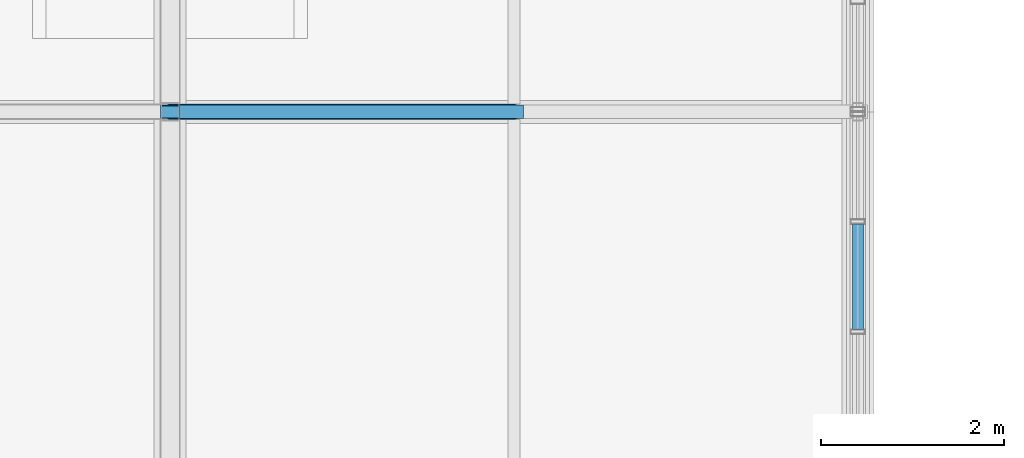
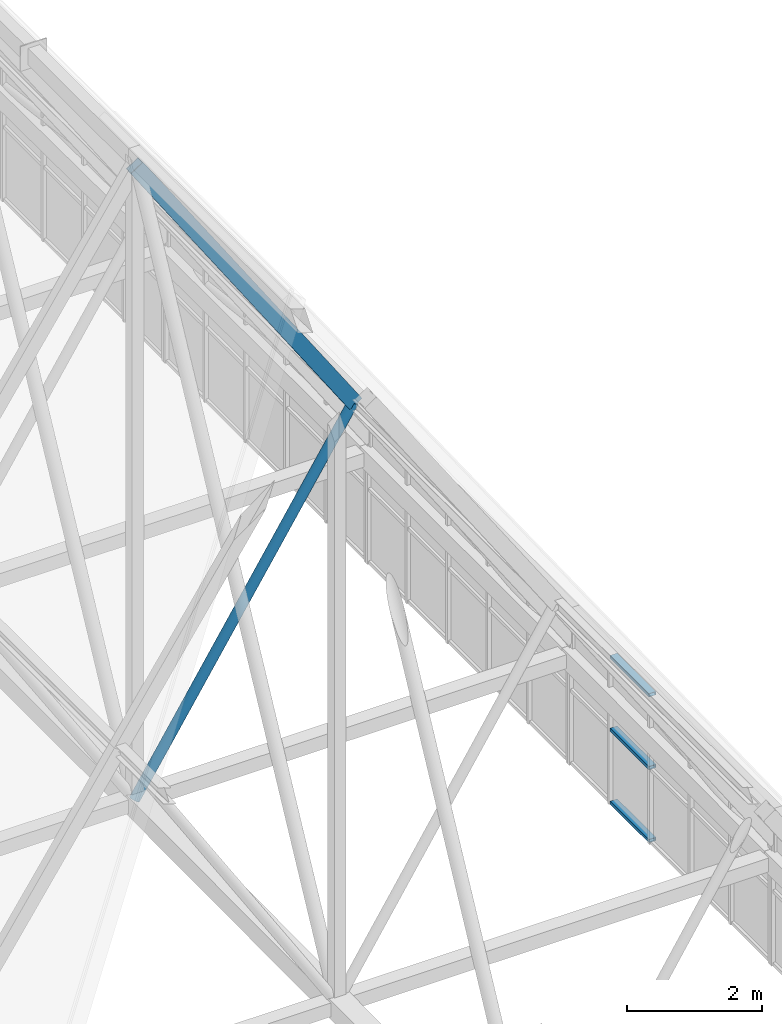
# One storey, part 225 of 324: 5 members, 1 element without a shape of its own.
"""IFC4 building model written with IfcOpenShell, lengths in metres."""

from ifc_helpers import new_model, si_unit, direction, frame, origin, origin_2d, place, context, subcontext, project, spatial, hollow_rectangle, hollow_circle, extrude, material, layer, layer_set, material_profile, profile_set, type_object, element, aggregate, save


model = new_model("IFC4")

# Units and contexts
model_context = context("Model", 3, precision=1e-05, world=origin(), true_north=direction((0.0, 1.0)))
body_context = subcontext(model_context, "Body", "Model", "MODEL_VIEW")
ifc_project = project(units=[si_unit("LENGTHUNIT", "METRE"), si_unit("AREAUNIT", "SQUARE_METRE"), si_unit("VOLUMEUNIT", "CUBIC_METRE"), si_unit("PLANEANGLEUNIT", "RADIAN"), si_unit("MASSUNIT", "GRAM", prefix="KILO")], contexts=[model_context])

# Site, building, storey
site_placement = place(None, origin())
site = spatial("IfcSite", under=ifc_project, at=site_placement, CompositionType="ELEMENT")
building_placement = place(site_placement, origin())
building = spatial("IfcBuilding", under=site, at=building_placement, Name="Solvenia Promenade Tram Depot", CompositionType="ELEMENT")
storey_placement = place(building_placement, frame((0.0, 0.0, 4.5)))
storey = spatial("IfcBuildingStorey", under=building, at=storey_placement, Name="L01", CompositionType="ELEMENT", Elevation=4.5)

# Curtain wall, members
ifc_material_1 = material(Name="Anodized aluminium AW-6063 T6", Category="aluminium")
ifc_layer = layer(ifc_material_1, 0.159912109375, Name="Anodized aluminium AW-6063 T6", Category="aluminium")
ifc_layer_set = layer_set([ifc_layer], Name="Anodized aluminium AW-6063 T6")
curtain_wall_type = type_object("IfcCurtainWallType", Name="CW-Channel-1200", PredefinedType="NOTDEFINED", material=ifc_layer_set)
curtain_wall_placement = place(storey_placement, origin())
curtain_wall = element("IfcCurtainWall", 1, at=curtain_wall_placement, inside=storey, type_object=curtain_wall_type, Name="Curtain Wall CW-V1E-04", PredefinedType="NOTDEFINED")
ifc_material_profile_1 = material_profile(ifc_material_1, hollow_rectangle(XDim=0.1201171875, YDim=0.06005859375, WallThickness=0.00390625, at=origin_2d()), Name="ALU-T1", Category="aluminium")
ifc_profile_set_1 = profile_set([ifc_material_profile_1], Name="Anodized aluminium AW-6063 T6")
member_type_1 = type_object("IfcMemberType", Name="CWT-Transom-1", PredefinedType="USERDEFINED", material=ifc_profile_set_1)
member_1_placement = place(storey_placement, frame((150.0, 87.6259765625, 0.72998046875), z_axis=(0.0, 1.0, 0.0), x_axis=(-1.0, 0.0, 0.0)))
member_1 = element("IfcMember", 2, at=member_1_placement, type_object=member_type_1, Name="CW-1 transom 4.1", ObjectType="TRANSOM", PredefinedType="USERDEFINED", context=body_context, shape_type="SweptSolid", body=[
    extrude(hollow_rectangle(XDim=0.1201171875, YDim=0.06005859375, WallThickness=0.00390625, at=origin_2d()), origin(), (0.0, 0.0, 1.0), 1.14794921875),
])
member_2_placement = place(storey_placement, frame((150.0, 87.6259765625, 2.050048828125), z_axis=(0.0, 1.0, 0.0), x_axis=(-1.0, 0.0, 0.0)))
member_2 = element("IfcMember", 3, at=member_2_placement, type_object=member_type_1, Name="CW-1 transom 4.2", ObjectType="TRANSOM", PredefinedType="USERDEFINED", context=body_context, shape_type="SweptSolid", body=[
    extrude(hollow_rectangle(XDim=0.1201171875, YDim=0.06005859375, WallThickness=0.00390625, at=origin_2d()), origin(), (0.0, 0.0, 1.0), 1.14794921875),
])
member_3_placement = place(storey_placement, frame((150.0, 87.6259765625, 3.3701171875), z_axis=(0.0, 1.0, 0.0), x_axis=(-1.0, 0.0, 0.0)))
member_3 = element("IfcMember", 4, at=member_3_placement, type_object=member_type_1, Name="CW-1 transom 4.3", ObjectType="TRANSOM", PredefinedType="USERDEFINED", context=body_context, shape_type="SweptSolid", body=[
    extrude(hollow_rectangle(XDim=0.1201171875, YDim=0.06005859375, WallThickness=0.00390625, at=origin_2d()), origin(), (0.0, 0.0, 1.0), 1.14794921875),
])
aggregate(curtain_wall, [member_1, member_2, member_3])

# Members
ifc_material_2 = material(Name="Structural steel ASTM A500 Gr. C", Category="steel")
ifc_material_profile_2 = material_profile(ifc_material_2, hollow_rectangle(XDim=0.14990234375, YDim=0.25, WallThickness=0.010009765625, at=origin_2d()), Name="HSS250x150x10", Category="steel")
ifc_profile_set_2 = profile_set([ifc_material_profile_2], Name="Structural steel ASTM A500 Gr. C")
member_type_2 = type_object("IfcMemberType", Name="Chord-HSS250x150x10", PredefinedType="CHORD", material=ifc_profile_set_2)
member_4_placement = place(storey_placement, frame((142.5, 90.0, 14.132080078125), z_axis=(0.557259486914, 0.0, -0.83033840345), x_axis=(0.0, 1.0, 0.0)))
element("IfcMember", 5, at=member_4_placement, inside=storey, type_object=member_type_2, Name="Zigzag Gable 10 East Upper Rafter", PredefinedType="CHORD", context=body_context, shape_type="SweptSolid", body=[
    extrude(hollow_rectangle(XDim=0.14990234375, YDim=0.25, WallThickness=0.010009765625, at=origin_2d()), origin(), (0.0, 0.0, 1.0), 6.729248046875),
])
ifc_material_profile_3 = material_profile(ifc_material_2, hollow_circle(Radius=0.084228515625, WallThickness=0.008056640625, at=origin_2d()), Name="CHS168.3x8", Category="steel")
ifc_profile_set_3 = profile_set([ifc_material_profile_3], Name="Structural steel ASTM A500 Gr. C")
member_type_3 = type_object("IfcMemberType", Name="WebDiag-CHS168x8", PredefinedType="BRACE", material=ifc_profile_set_3)
member_5_placement = place(storey_placement, frame((142.5, 90.0, 2.656005859375), z_axis=(0.537162844813, 0.0, 0.843478558206), x_axis=(0.0, 1.0, 0.0)))
element("IfcMember", 6, at=member_5_placement, inside=storey, type_object=member_type_3, Name="Zigzag Gable 10 East Knee Strut", PredefinedType="BRACE", context=body_context, shape_type="SweptSolid", body=[
    extrude(hollow_circle(Radius=0.084228515625, WallThickness=0.008056640625, at=origin_2d()), origin(), (0.0, 0.0, 1.0), 6.981201171875),
])

save(model, "model.ifc")
